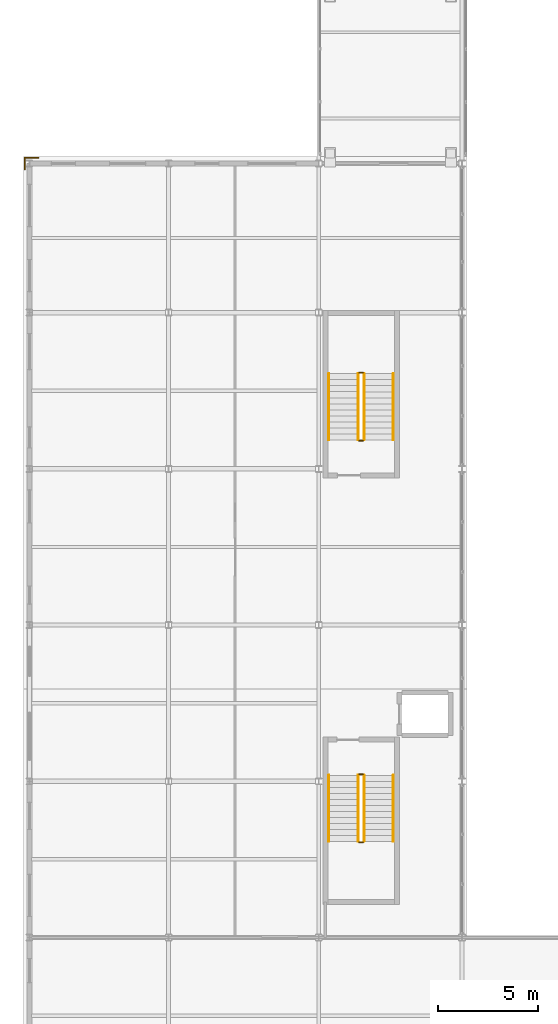
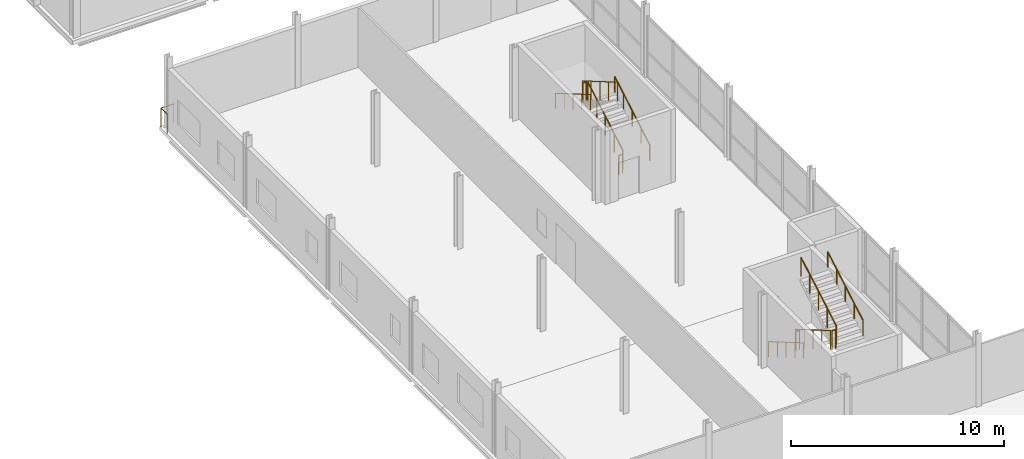
# One storey, part 55 of 60: 13 railings.
"""IFC4 building model written with IfcOpenShell, lengths in metres."""

from ifc_helpers import new_model, si_unit, direction, frame, origin, origin_2d, place, context, subcontext, project, spatial, circle, extrude, material, type_object, element, save


model = new_model("IFC4")

# Units and contexts
model_context = context("Model", 3, precision=1e-05, world=origin(), true_north=direction((0.0, 1.0)))
body_context = subcontext(model_context, "Body", "Model", "MODEL_VIEW")
ifc_project = project(units=[si_unit("LENGTHUNIT", "METRE"), si_unit("AREAUNIT", "SQUARE_METRE"), si_unit("VOLUMEUNIT", "CUBIC_METRE"), si_unit("PLANEANGLEUNIT", "RADIAN"), si_unit("MASSUNIT", "GRAM", prefix="KILO")], contexts=[model_context])

# Site, building, storey
site_placement = place(None, origin())
site = spatial("IfcSite", under=ifc_project, at=site_placement, CompositionType="ELEMENT")
building_placement = place(site_placement, origin())
building = spatial("IfcBuilding", under=site, at=building_placement, Name="Quillay Park Conservatory", CompositionType="ELEMENT")
storey_placement = place(building_placement, frame((0.0, 0.0, 9.89990234375)))
storey = spatial("IfcBuildingStorey", under=building, at=storey_placement, Name="L02", CompositionType="ELEMENT", Elevation=9.89990234375)

# Railings
ifc_material_1 = material(Name="Steel S355J2H", Category="steel")
railing_type_1 = type_object("IfcRailingType", Name="STAIR WALL HANDRAIL 900", PredefinedType="HANDRAIL", material=ifc_material_1)
railing_1_placement = place(storey_placement, frame((15.5, 23.699951171875, 0.175048828125)))
element("IfcRailing", 1, at=railing_1_placement, inside=storey, type_object=railing_type_1, Name="L02 ST-V1 stair handrail 1", PredefinedType="HANDRAIL", context=body_context, shape_type="SweptSolid", body=[
    extrude(circle(Radius=0.02392578125, at=origin_2d()), frame((0.0, 0.0, 0.8759765625), z_axis=(0.0, -0.863776583165, 0.503874998761), x_axis=(1.0, 0.0, 0.0)), (0.0, 0.0, 1.0), 3.820556640625),
    extrude(circle(Radius=0.02099609375, at=origin_2d()), origin(), (0.0, 0.0, 1.0), 0.851806640625),
    extrude(circle(Radius=0.02099609375, at=origin_2d()), frame((0.0, -0.824951171875, 0.481201171875)), (0.0, 0.0, 1.0), 0.851806640625),
    extrude(circle(Radius=0.02099609375, at=origin_2d()), frame((0.0, -1.64990234375, 0.96240234375)), (0.0, 0.0, 1.0), 0.851806640625),
    extrude(circle(Radius=0.02099609375, at=origin_2d()), frame((0.0, -2.47509765625, 1.44384765625)), (0.0, 0.0, 1.0), 0.851806640625),
    extrude(circle(Radius=0.02099609375, at=origin_2d()), frame((0.0, -3.300048828125, 1.925048828125)), (0.0, 0.0, 1.0), 0.851806640625),
])
for number, where, name in (
    (2, (18.719970703125, 20.39990234375, 2.275146484375), "L02 ST-V1 stair handrail 2"),
    (3, (18.719970703125, 40.449951171875, 0.175048828125), "L02 ST-V2 stair handrail 1"),
):
    element("IfcRailing", number, at=place(storey_placement, frame(where)), inside=storey, type_object=railing_type_1, Name=name, PredefinedType="HANDRAIL", context=body_context, shape_type="SweptSolid", body=[
        extrude(circle(Radius=0.02392578125, at=origin_2d()), frame((0.0, 0.0, 0.8759765625), z_axis=(0.0, 0.863776583165, 0.503874998761), x_axis=(-1.0, 0.0, 0.0)), (0.0, 0.0, 1.0), 3.820556640625),
        extrude(circle(Radius=0.02099609375, at=origin_2d()), origin(), (0.0, 0.0, 1.0), 0.851806640625),
        extrude(circle(Radius=0.02099609375, at=origin_2d()), frame((0.0, 0.824951171875, 0.481201171875)), (0.0, 0.0, 1.0), 0.851806640625),
        extrude(circle(Radius=0.02099609375, at=origin_2d()), frame((0.0, 1.64990234375, 0.96240234375)), (0.0, 0.0, 1.0), 0.851806640625),
        extrude(circle(Radius=0.02099609375, at=origin_2d()), frame((0.0, 2.47509765625, 1.44384765625)), (0.0, 0.0, 1.0), 0.851806640625),
        extrude(circle(Radius=0.02099609375, at=origin_2d()), frame((0.0, 3.300048828125, 1.925048828125)), (0.0, 0.0, 1.0), 0.851806640625),
    ])
railing_2_placement = place(storey_placement, frame((15.5, 43.75, 2.275146484375)))
element("IfcRailing", 4, at=railing_2_placement, inside=storey, type_object=railing_type_1, Name="L02 ST-V2 stair handrail 2", PredefinedType="HANDRAIL", context=body_context, shape_type="SweptSolid", body=[
    extrude(circle(Radius=0.02392578125, at=origin_2d()), frame((0.0, 0.0, 0.8759765625), z_axis=(0.0, -0.863776583165, 0.503874998761), x_axis=(1.0, 0.0, 0.0)), (0.0, 0.0, 1.0), 3.820556640625),
    extrude(circle(Radius=0.02099609375, at=origin_2d()), origin(), (0.0, 0.0, 1.0), 0.851806640625),
    extrude(circle(Radius=0.02099609375, at=origin_2d()), frame((0.0, -0.824951171875, 0.481201171875)), (0.0, 0.0, 1.0), 0.851806640625),
    extrude(circle(Radius=0.02099609375, at=origin_2d()), frame((0.0, -1.64990234375, 0.96240234375)), (0.0, 0.0, 1.0), 0.851806640625),
    extrude(circle(Radius=0.02099609375, at=origin_2d()), frame((0.0, -2.47509765625, 1.44384765625)), (0.0, 0.0, 1.0), 0.851806640625),
    extrude(circle(Radius=0.02099609375, at=origin_2d()), frame((0.0, -3.300048828125, 1.925048828125)), (0.0, 0.0, 1.0), 0.851806640625),
])
ifc_material_2 = material(Name="Steel S355J2H", Category="steel")
railing_type_2 = type_object("IfcRailingType", Name="STAIR WELL GUARDRAIL 1100", PredefinedType="GUARDRAIL", material=ifc_material_2)
railing_3_placement = place(storey_placement, frame((16.9599609375, 23.699951171875, 0.175048828125)))
element("IfcRailing", 5, at=railing_3_placement, inside=storey, type_object=railing_type_2, Name="L02 ST-V1 stair guard 1", PredefinedType="GUARDRAIL", context=body_context, shape_type="SweptSolid", body=[
    extrude(circle(Radius=0.02392578125, at=origin_2d()), frame((0.0, 0.0, 1.076171875), z_axis=(0.0, -0.863776583165, 0.503874998761), x_axis=(1.0, 0.0, 0.0)), (0.0, 0.0, 1.0), 3.820556640625),
    extrude(circle(Radius=0.02099609375, at=origin_2d()), origin(), (0.0, 0.0, 1.0), 1.052001953125),
    extrude(circle(Radius=0.02099609375, at=origin_2d()), frame((0.0, -0.824951171875, 0.481201171875)), (0.0, 0.0, 1.0), 1.052001953125),
    extrude(circle(Radius=0.02099609375, at=origin_2d()), frame((0.0, -1.64990234375, 0.96240234375)), (0.0, 0.0, 1.0), 1.052001953125),
    extrude(circle(Radius=0.02099609375, at=origin_2d()), frame((0.0, -2.47509765625, 1.44384765625)), (0.0, 0.0, 1.0), 1.052001953125),
    extrude(circle(Radius=0.02099609375, at=origin_2d()), frame((0.0, -3.300048828125, 1.925048828125)), (0.0, 0.0, 1.0), 1.052001953125),
])
railing_4_placement = place(storey_placement, frame((17.010009765625, 20.35009765625, 2.10009765625)))
element("IfcRailing", 6, at=railing_4_placement, inside=storey, type_object=railing_type_2, Name="L02 ST-V1 stair guard 2", PredefinedType="GUARDRAIL", context=body_context, shape_type="SweptSolid", body=[
    extrude(circle(Radius=0.02392578125, at=origin_2d()), frame((0.0, 0.0, 1.076171875), z_axis=(1.0, 0.0, 0.0), x_axis=(0.0, 1.0, 0.0)), (0.0, 0.0, 1.0), 0.199951171875),
    extrude(circle(Radius=0.02099609375, at=origin_2d()), origin(), (0.0, 0.0, 1.0), 1.052001953125),
    extrude(circle(Radius=0.02099609375, at=origin_2d()), frame((0.199951171875, 0.0, 0.0)), (0.0, 0.0, 1.0), 1.052001953125),
])
railing_5_placement = place(storey_placement, frame((17.260009765625, 20.39990234375, 2.275146484375)))
element("IfcRailing", 7, at=railing_5_placement, inside=storey, type_object=railing_type_2, Name="L02 ST-V1 stair guard 3", PredefinedType="GUARDRAIL", context=body_context, shape_type="SweptSolid", body=[
    extrude(circle(Radius=0.02392578125, at=origin_2d()), frame((0.0, 0.0, 1.076171875), z_axis=(0.0, 0.863776583165, 0.503874998761), x_axis=(-1.0, 0.0, 0.0)), (0.0, 0.0, 1.0), 3.820556640625),
    extrude(circle(Radius=0.02099609375, at=origin_2d()), origin(), (0.0, 0.0, 1.0), 1.052001953125),
    extrude(circle(Radius=0.02099609375, at=origin_2d()), frame((0.0, 0.824951171875, 0.481201171875)), (0.0, 0.0, 1.0), 1.052001953125),
    extrude(circle(Radius=0.02099609375, at=origin_2d()), frame((0.0, 1.64990234375, 0.96240234375)), (0.0, 0.0, 1.0), 1.052001953125),
    extrude(circle(Radius=0.02099609375, at=origin_2d()), frame((0.0, 2.47509765625, 1.44384765625)), (0.0, 0.0, 1.0), 1.052001953125),
    extrude(circle(Radius=0.02099609375, at=origin_2d()), frame((0.0, 3.300048828125, 1.925048828125)), (0.0, 0.0, 1.0), 1.052001953125),
])
railing_6_placement = place(storey_placement, frame((17.010009765625, 23.75, 0.0)))
element("IfcRailing", 8, at=railing_6_placement, inside=storey, type_object=railing_type_2, Name="L02 ST-V1 stair guard 4", PredefinedType="GUARDRAIL", context=body_context, shape_type="SweptSolid", body=[
    extrude(circle(Radius=0.02392578125, at=origin_2d()), frame((0.0, 0.0, 1.076171875), z_axis=(1.0, 0.0, 0.0), x_axis=(0.0, 1.0, 0.0)), (0.0, 0.0, 1.0), 0.199951171875),
    extrude(circle(Radius=0.02099609375, at=origin_2d()), origin(), (0.0, 0.0, 1.0), 1.052001953125),
    extrude(circle(Radius=0.02099609375, at=origin_2d()), frame((0.199951171875, 0.0, 0.0)), (0.0, 0.0, 1.0), 1.052001953125),
])
railing_7_placement = place(storey_placement, frame((17.260009765625, 40.449951171875, 0.175048828125)))
element("IfcRailing", 9, at=railing_7_placement, inside=storey, type_object=railing_type_2, Name="L02 ST-V2 stair guard 1", PredefinedType="GUARDRAIL", context=body_context, shape_type="SweptSolid", body=[
    extrude(circle(Radius=0.02392578125, at=origin_2d()), frame((0.0, 0.0, 1.076171875), z_axis=(0.0, 0.863776583165, 0.503874998761), x_axis=(-1.0, 0.0, 0.0)), (0.0, 0.0, 1.0), 3.820556640625),
    extrude(circle(Radius=0.02099609375, at=origin_2d()), origin(), (0.0, 0.0, 1.0), 1.052001953125),
    extrude(circle(Radius=0.02099609375, at=origin_2d()), frame((0.0, 0.824951171875, 0.481201171875)), (0.0, 0.0, 1.0), 1.052001953125),
    extrude(circle(Radius=0.02099609375, at=origin_2d()), frame((0.0, 1.64990234375, 0.96240234375)), (0.0, 0.0, 1.0), 1.052001953125),
    extrude(circle(Radius=0.02099609375, at=origin_2d()), frame((0.0, 2.47509765625, 1.44384765625)), (0.0, 0.0, 1.0), 1.052001953125),
    extrude(circle(Radius=0.02099609375, at=origin_2d()), frame((0.0, 3.300048828125, 1.925048828125)), (0.0, 0.0, 1.0), 1.052001953125),
])
railing_8_placement = place(storey_placement, frame((17.2099609375, 43.800048828125, 2.10009765625)))
element("IfcRailing", 10, at=railing_8_placement, inside=storey, type_object=railing_type_2, Name="L02 ST-V2 stair guard 2", PredefinedType="GUARDRAIL", context=body_context, shape_type="SweptSolid", body=[
    extrude(circle(Radius=0.02392578125, at=origin_2d()), frame((0.0, 0.0, 1.076171875), z_axis=(-1.0, 0.0, 0.0), x_axis=(0.0, -1.0, 0.0)), (0.0, 0.0, 1.0), 0.199951171875),
    extrude(circle(Radius=0.02099609375, at=origin_2d()), origin(), (0.0, 0.0, 1.0), 1.052001953125),
    extrude(circle(Radius=0.02099609375, at=origin_2d()), frame((-0.199951171875, 0.0, 0.0)), (0.0, 0.0, 1.0), 1.052001953125),
])
railing_9_placement = place(storey_placement, frame((16.9599609375, 43.75, 2.275146484375)))
element("IfcRailing", 11, at=railing_9_placement, inside=storey, type_object=railing_type_2, Name="L02 ST-V2 stair guard 3", PredefinedType="GUARDRAIL", context=body_context, shape_type="SweptSolid", body=[
    extrude(circle(Radius=0.02392578125, at=origin_2d()), frame((0.0, 0.0, 1.076171875), z_axis=(0.0, -0.863776583165, 0.503874998761), x_axis=(1.0, 0.0, 0.0)), (0.0, 0.0, 1.0), 3.820556640625),
    extrude(circle(Radius=0.02099609375, at=origin_2d()), origin(), (0.0, 0.0, 1.0), 1.052001953125),
    extrude(circle(Radius=0.02099609375, at=origin_2d()), frame((0.0, -0.824951171875, 0.481201171875)), (0.0, 0.0, 1.0), 1.052001953125),
    extrude(circle(Radius=0.02099609375, at=origin_2d()), frame((0.0, -1.64990234375, 0.96240234375)), (0.0, 0.0, 1.0), 1.052001953125),
    extrude(circle(Radius=0.02099609375, at=origin_2d()), frame((0.0, -2.47509765625, 1.44384765625)), (0.0, 0.0, 1.0), 1.052001953125),
    extrude(circle(Radius=0.02099609375, at=origin_2d()), frame((0.0, -3.300048828125, 1.925048828125)), (0.0, 0.0, 1.0), 1.052001953125),
])
railing_10_placement = place(storey_placement, frame((17.2099609375, 40.39990234375, 0.0)))
element("IfcRailing", 12, at=railing_10_placement, inside=storey, type_object=railing_type_2, Name="L02 ST-V2 stair guard 4", PredefinedType="GUARDRAIL", context=body_context, shape_type="SweptSolid", body=[
    extrude(circle(Radius=0.02392578125, at=origin_2d()), frame((0.0, 0.0, 1.076171875), z_axis=(-1.0, 0.0, 0.0), x_axis=(0.0, -1.0, 0.0)), (0.0, 0.0, 1.0), 0.199951171875),
    extrude(circle(Radius=0.02099609375, at=origin_2d()), origin(), (0.0, 0.0, 1.0), 1.052001953125),
    extrude(circle(Radius=0.02099609375, at=origin_2d()), frame((-0.199951171875, 0.0, 0.0)), (0.0, 0.0, 1.0), 1.052001953125),
])
ifc_material_3 = material(Name="Steel S355J2H", Category="steel")
railing_type_3 = type_object("IfcRailingType", Name="TERRACE PERIMETER GUARDRAIL 1100", PredefinedType="GUARDRAIL", material=ifc_material_3)
railing_11_placement = place(storey_placement, frame((0.31005859375, 53.949951171875, 0.0)))
element("IfcRailing", 13, at=railing_11_placement, inside=storey, type_object=railing_type_3, Name="L02 Perimeter Safety Guardrail 045", PredefinedType="GUARDRAIL", context=body_context, shape_type="SweptSolid", body=[
    extrude(circle(Radius=0.02392578125, at=origin_2d()), frame((0.0, 0.0, 1.076171875), z_axis=(0.0, 1.0, 0.0), x_axis=(-1.0, 0.0, 0.0)), (0.0, 0.0, 1.0), 0.590087890625),
    extrude(circle(Radius=0.02392578125, at=origin_2d()), frame((0.0, 0.590087890625, 1.076171875), z_axis=(1.0, 0.0, 0.0), x_axis=(0.0, 1.0, 0.0)), (0.0, 0.0, 1.0), 0.68994140625),
    extrude(circle(Radius=0.02099609375, at=origin_2d()), origin(), (0.0, 0.0, 1.0), 1.052001953125),
    extrude(circle(Radius=0.02099609375, at=origin_2d()), frame((0.0, 0.590087890625, 0.0)), (0.0, 0.0, 1.0), 1.052001953125),
    extrude(circle(Radius=0.02099609375, at=origin_2d()), frame((0.68994140625, 0.590087890625, 0.0)), (0.0, 0.0, 1.0), 1.052001953125),
])

save(model, "model.ifc")
